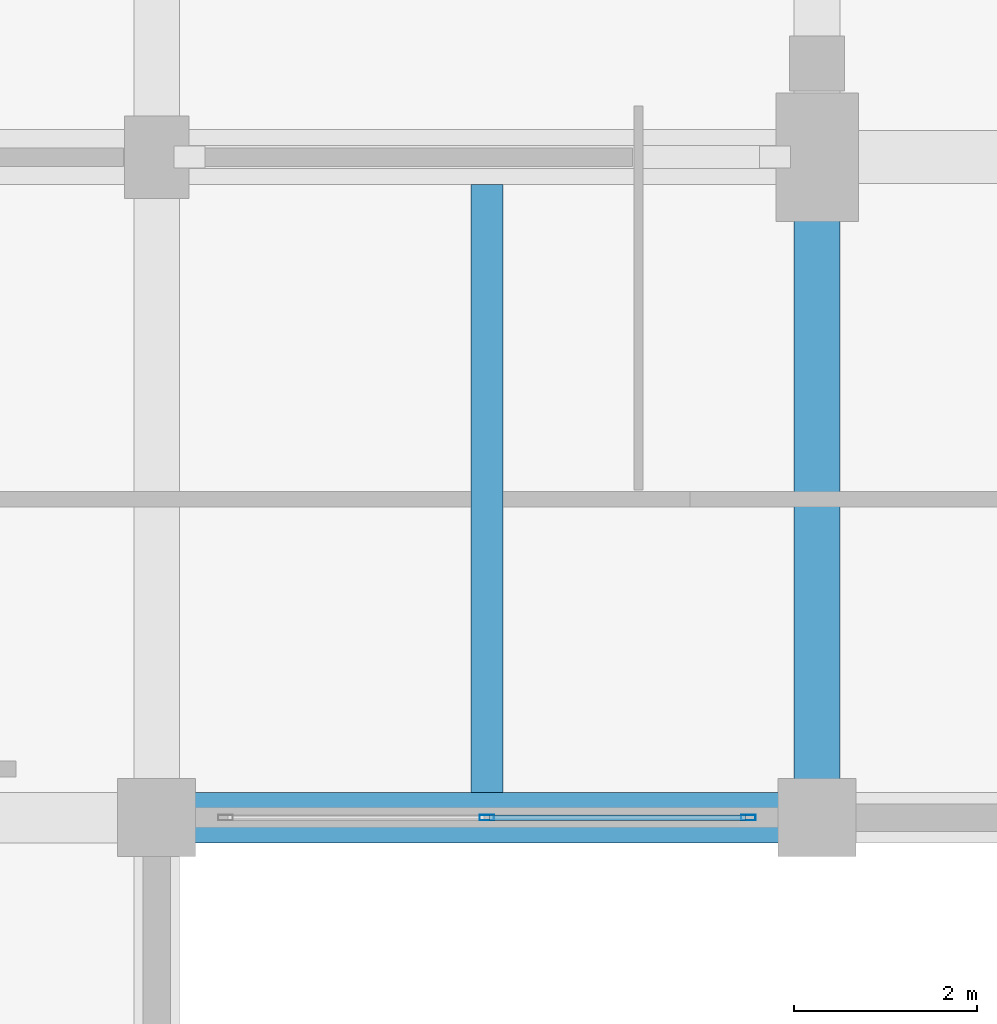
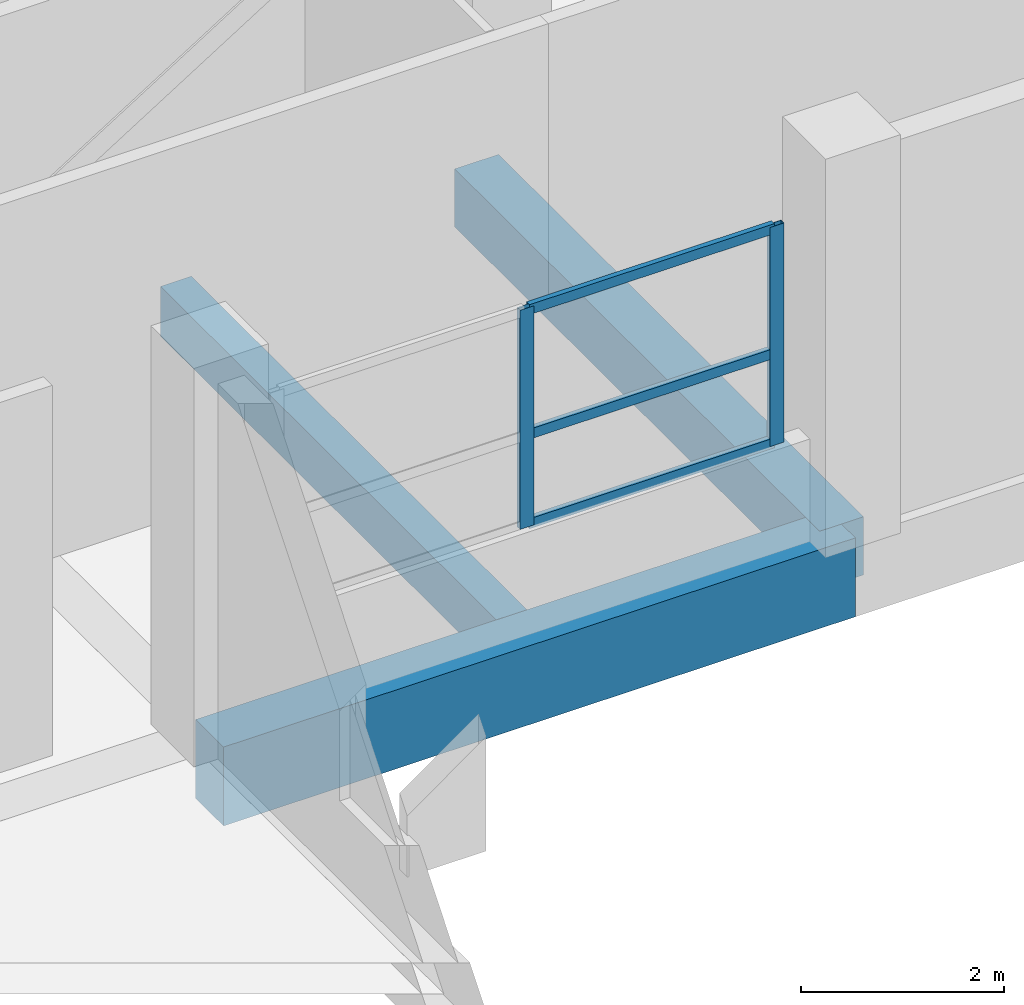
# One storey, part 95 of 181: 5 members, 3 beams, 1 element without a shape of its own.
"""IFC4 building model written with IfcOpenShell, lengths in metres."""

from ifc_helpers import new_model, si_unit, direction, frame, origin, origin_2d, place, context, subcontext, project, spatial, rectangle, hollow_rectangle, extrude, material, layer, layer_set, material_profile, profile_set, type_object, element, aggregate, save


model = new_model("IFC4")

# Units and contexts
model_context = context("Model", 3, precision=1e-05, world=origin(), true_north=direction((0.0, 1.0)))
body_context = subcontext(model_context, "Body", "Model", "MODEL_VIEW")
ifc_project = project(units=[si_unit("LENGTHUNIT", "METRE"), si_unit("AREAUNIT", "SQUARE_METRE"), si_unit("VOLUMEUNIT", "CUBIC_METRE"), si_unit("PLANEANGLEUNIT", "RADIAN"), si_unit("MASSUNIT", "GRAM", prefix="KILO")], contexts=[model_context])

# Site, building, storey
site_placement = place(None, origin())
site = spatial("IfcSite", under=ifc_project, at=site_placement, CompositionType="ELEMENT")
building_placement = place(site_placement, origin())
building = spatial("IfcBuilding", under=site, at=building_placement, Name="Seraya Terrace Polytechnic", CompositionType="ELEMENT")
storey_placement = place(building_placement, frame((0.0, 0.0, 4.800048828125)))
storey = spatial("IfcBuildingStorey", under=building, at=storey_placement, Name="L01", CompositionType="ELEMENT", Elevation=4.800048828125)

# Beams
ifc_material_1 = material(Name="Concrete C40/50", Category="concrete")
ifc_material_profile_1 = material_profile(ifc_material_1, rectangle(XDim=0.550048828125, YDim=0.949951171875, at=origin_2d()), Name="RC 550x950")
ifc_profile_set_1 = profile_set([ifc_material_profile_1], Name="Concrete C40/50")
beam_type_1 = type_object("IfcBeamType", Name="BM-03", PredefinedType="BEAM", material=ifc_profile_set_1)
beam_1_placement = place(storey_placement, frame((108.0, 72.0, -0.47509765625), z_axis=(1.0, 0.0, 0.0), x_axis=(0.0, 1.0, 0.0)))
element("IfcBeam", 1, at=beam_1_placement, inside=storey, type_object=beam_type_1, Name="Beam BM-03 L01 X (108.0..115.2, 72.0)", PredefinedType="BEAM", context=body_context, shape_type="SweptSolid", body=[
    extrude(rectangle(XDim=0.550048828125, YDim=0.949951171875, at=origin_2d()), origin(), (0.0, 0.0, 1.0), 7.199951171875),
])
ifc_material_profile_2 = material_profile(ifc_material_1, rectangle(XDim=0.5, YDim=0.699951171875, at=origin_2d()), Name="RC 500x700")
ifc_profile_set_2 = profile_set([ifc_material_profile_2], Name="Concrete C40/50")
beam_type_2 = type_object("IfcBeamType", Name="BM-07", PredefinedType="BEAM", material=ifc_profile_set_2)
beam_2_placement = place(storey_placement, frame((115.199951171875, 72.0, -0.35009765625), z_axis=(0.0, 1.0, 0.0), x_axis=(-1.0, 0.0, 0.0)))
element("IfcBeam", 2, at=beam_2_placement, inside=storey, type_object=beam_type_2, Name="Beam BM-07 L01 Y (115.2, 72.0..79.2)", PredefinedType="BEAM", context=body_context, shape_type="SweptSolid", body=[
    extrude(rectangle(XDim=0.5, YDim=0.699951171875, at=origin_2d()), origin(), (0.0, 0.0, 1.0), 7.199951171875),
])

# Curtain wall, members
ifc_material_2 = material(Name="Anodised aluminium EN AW-6063 T6", Category="aluminium")
ifc_layer = layer(ifc_material_2, 0.179931640625, Name="CW-14")
ifc_layer_set = layer_set([ifc_layer], Name="Anodised aluminium EN AW-6063 T6")
curtain_wall_type = type_object("IfcCurtainWallType", Name="CW-14", PredefinedType="NOTDEFINED", material=ifc_layer_set)
curtain_wall_placement = place(storey_placement, origin())
curtain_wall = element("IfcCurtainWall", 3, at=curtain_wall_placement, inside=storey, type_object=curtain_wall_type, Name="Unitised curtain wall CW-14 (CW-L01-050)", PredefinedType="NOTDEFINED")
ifc_material_profile_3 = material_profile(ifc_material_2, hollow_rectangle(XDim=0.06005859375, YDim=0.159912109375, WallThickness=0.00341796875, at=origin_2d()), Name="RHS 160x60x3.5")
ifc_profile_set_3 = profile_set([ifc_material_profile_3], Name="Anodised aluminium EN AW-6063 T6")
member_type_1 = type_object("IfcMemberType", Name="CWM-02", PredefinedType="MULLION", material=ifc_profile_set_3)
member_1_placement = place(storey_placement, frame((114.449951171875, 72.0, 1.239990234375), z_axis=(0.0, 0.0, 1.0), x_axis=(0.0, -1.0, 0.0)))
member_1 = element("IfcMember", 4, at=member_1_placement, type_object=member_type_1, Name="CW-14 mullion 1", PredefinedType="MULLION", context=body_context, shape_type="SweptSolid", body=[
    extrude(hollow_rectangle(XDim=0.06005859375, YDim=0.159912109375, WallThickness=0.00341796875, at=origin_2d()), origin(), (0.0, 0.0, 1.0), 2.639892578125),
])
member_2_placement = place(storey_placement, frame((111.60009765625, 72.0, 1.239990234375), z_axis=(0.0, 0.0, 1.0), x_axis=(0.0, -1.0, 0.0)))
member_2 = element("IfcMember", 5, at=member_2_placement, type_object=member_type_1, Name="CW-14 mullion 2", PredefinedType="MULLION", context=body_context, shape_type="SweptSolid", body=[
    extrude(hollow_rectangle(XDim=0.06005859375, YDim=0.159912109375, WallThickness=0.00341796875, at=origin_2d()), origin(), (0.0, 0.0, 1.0), 2.639892578125),
])
ifc_material_profile_4 = material_profile(ifc_material_2, hollow_rectangle(XDim=0.06005859375, YDim=0.1201171875, WallThickness=0.003173828125, at=origin_2d()), Name="RHS 120x60x3.2")
ifc_profile_set_4 = profile_set([ifc_material_profile_4], Name="Anodised aluminium EN AW-6063 T6")
member_type_2 = type_object("IfcMemberType", Name="CWT-02", PredefinedType="USERDEFINED", material=ifc_profile_set_4)
member_3_placement = place(storey_placement, frame((114.419921875, 72.0, 1.27001953125), z_axis=(-1.0, 0.0, 0.0), x_axis=(0.0, -1.0, 0.0)))
member_3 = element("IfcMember", 6, at=member_3_placement, type_object=member_type_2, Name="CW-14 transom 1.1", ObjectType="TRANSOM", PredefinedType="USERDEFINED", context=body_context, shape_type="SweptSolid", body=[
    extrude(hollow_rectangle(XDim=0.06005859375, YDim=0.1201171875, WallThickness=0.003173828125, at=origin_2d()), origin(), (0.0, 0.0, 1.0), 2.7900390625),
])
member_4_placement = place(storey_placement, frame((114.419921875, 72.0, 2.3486328125), z_axis=(-1.0, 0.0, 0.0), x_axis=(0.0, -1.0, 0.0)))
member_4 = element("IfcMember", 7, at=member_4_placement, type_object=member_type_2, Name="CW-14 transom 1.2", ObjectType="TRANSOM", PredefinedType="USERDEFINED", context=body_context, shape_type="SweptSolid", body=[
    extrude(hollow_rectangle(XDim=0.06005859375, YDim=0.1201171875, WallThickness=0.003173828125, at=origin_2d()), origin(), (0.0, 0.0, 1.0), 2.7900390625),
])
member_5_placement = place(storey_placement, frame((114.419921875, 72.0, 3.849853515625), z_axis=(-1.0, 0.0, 0.0), x_axis=(0.0, -1.0, 0.0)))
member_5 = element("IfcMember", 8, at=member_5_placement, type_object=member_type_2, Name="CW-14 transom 1.3", ObjectType="TRANSOM", PredefinedType="USERDEFINED", context=body_context, shape_type="SweptSolid", body=[
    extrude(hollow_rectangle(XDim=0.06005859375, YDim=0.1201171875, WallThickness=0.003173828125, at=origin_2d()), origin(), (0.0, 0.0, 1.0), 2.7900390625),
])
aggregate(curtain_wall, [member_1, member_2, member_3, member_4, member_5])

# Beam
ifc_material_profile_5 = material_profile(ifc_material_1, rectangle(XDim=0.35009765625, YDim=0.60009765625, at=origin_2d()), Name="RC 350x600")
ifc_profile_set_5 = profile_set([ifc_material_profile_5], Name="Concrete C40/50")
beam_type_3 = type_object("IfcBeamType", Name="JS-02", PredefinedType="JOIST", material=ifc_profile_set_5)
beam_3_placement = place(storey_placement, frame((111.60009765625, 72.27490234375, -0.300048828125), z_axis=(0.0, 1.0, 0.0), x_axis=(-1.0, 0.0, 0.0)))
element("IfcBeam", 9, at=beam_3_placement, inside=storey, type_object=beam_type_3, Name="Secondary joist JS-02 L01", PredefinedType="JOIST", context=body_context, shape_type="SweptSolid", body=[
    extrude(rectangle(XDim=0.35009765625, YDim=0.60009765625, at=origin_2d()), origin(), (0.0, 0.0, 1.0), 6.625),
])

save(model, "model.ifc")
